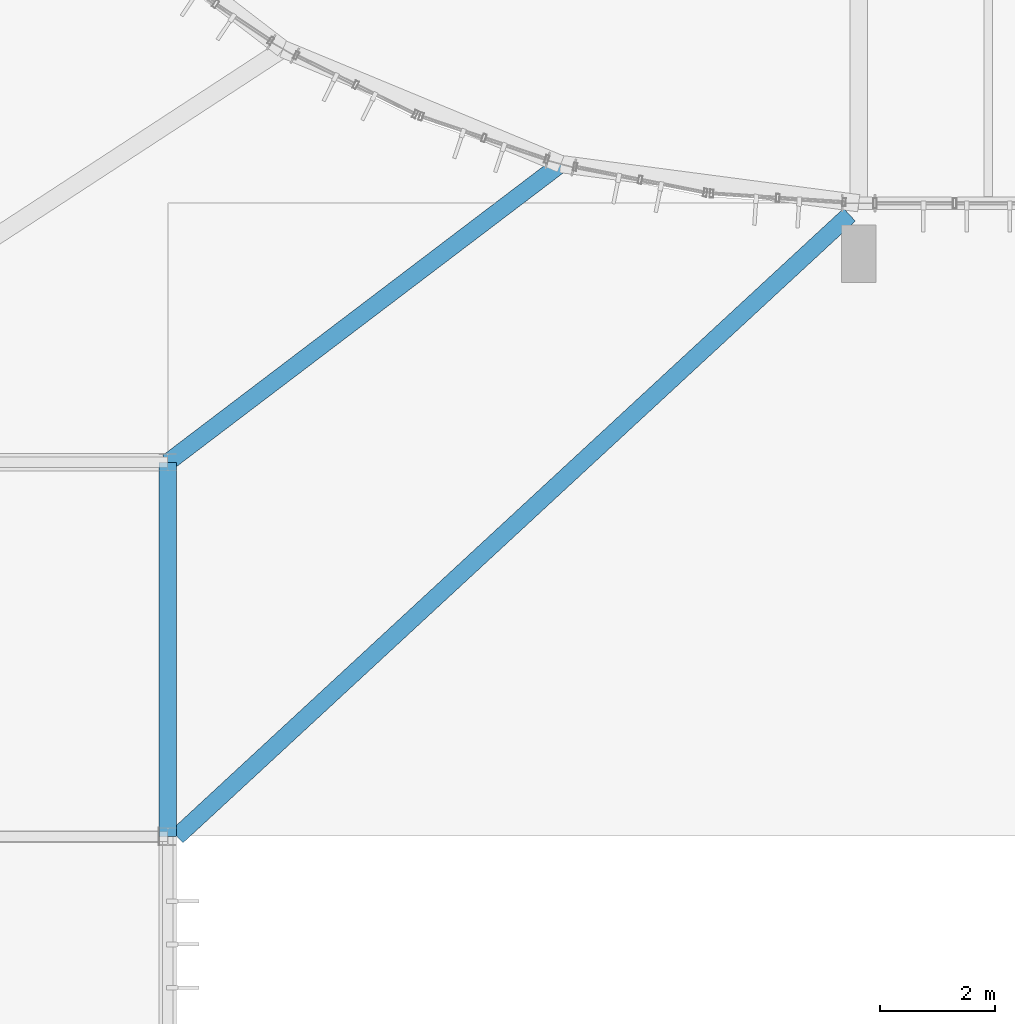
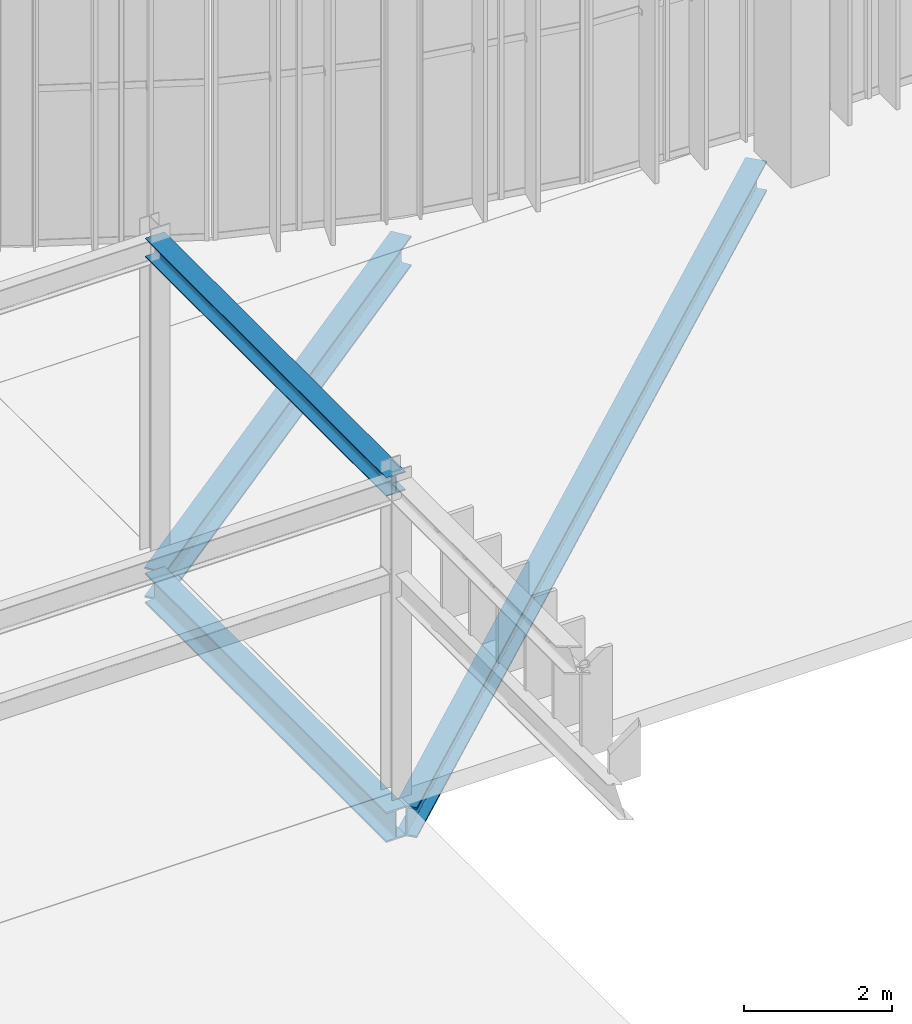
# One storey, part 31 of 158: 4 beams.
"""IFC4 building model written with IfcOpenShell, lengths in metres."""

from ifc_helpers import new_model, si_unit, derived_unit, direction, frame, origin, origin_2d, place, context, subcontext, project, spatial, i_section, extrude, material, material_profile, profile_set, type_object, element, save


model = new_model("IFC4")

# Units and contexts
model_context = context("Model", 3, precision=1e-05, world=origin(), true_north=direction((0.0, 1.0)))
body_context = subcontext(model_context, "Body", "Model", "MODEL_VIEW")
ifc_project = project(units=[si_unit("LENGTHUNIT", "METRE"), si_unit("AREAUNIT", "SQUARE_METRE"), si_unit("VOLUMEUNIT", "CUBIC_METRE"), si_unit("PLANEANGLEUNIT", "RADIAN"), si_unit("MASSUNIT", "GRAM", prefix="KILO"), si_unit("THERMODYNAMICTEMPERATUREUNIT", "KELVIN"), si_unit("TIMEUNIT", "SECOND"), derived_unit("THERMALTRANSMITTANCEUNIT", [(si_unit("MASSUNIT", "GRAM", prefix="KILO"), 1), (si_unit("THERMODYNAMICTEMPERATUREUNIT", "KELVIN"), -1), (si_unit("TIMEUNIT", "SECOND"), -3)])], contexts=[model_context])

# Site, building, storey
site_placement = place(None, origin())
site = spatial("IfcSite", under=ifc_project, at=site_placement, CompositionType="ELEMENT")
building_placement = place(site_placement, origin())
building = spatial("IfcBuilding", under=site, at=building_placement, Name="Cambertide Market Hall", CompositionType="ELEMENT")
storey_placement = place(building_placement, origin())
storey = spatial("IfcBuildingStorey", under=building, at=storey_placement, Name="L01", CompositionType="ELEMENT", Elevation=0.0)

# Beams
ifc_material_1 = material(Name="Steel S355", Category="steel")
ifc_material_profile_1 = material_profile(ifc_material_1, i_section(OverallWidth=0.300048828125, OverallDepth=0.31005859375, WebThickness=0.009033203125, FlangeThickness=0.015380859375, FilletRadius=0.027099609375, at=origin_2d()), Name="HEA 320")
ifc_profile_set_1 = profile_set([ifc_material_profile_1], Name="Steel S355")
beam_type_1 = type_object("IfcBeamType", Name="Exterior Steel Girder HEA 320", PredefinedType="BEAM", material=ifc_profile_set_1)
beam_1_placement = place(storey_placement, frame((30.0, 41.0, 5.06494140625), z_axis=(0.0, 1.0, 0.0), x_axis=(-1.0, 0.0, 0.0)))
element("IfcBeam", 1, at=beam_1_placement, inside=storey, type_object=beam_type_1, Name="Level 1 Beam BM-LNKSW-RF-E1", PredefinedType="BEAM", context=body_context, shape_type="SweptSolid", body=[
    extrude(i_section(OverallWidth=0.300048828125, OverallDepth=0.31005859375, WebThickness=0.009033203125, FlangeThickness=0.015380859375, FilletRadius=0.027099609375, at=origin_2d()), origin(), (0.0, 0.0, 1.0), 6.5),
])
ifc_material_2 = material(Name="Steel S355", Category="steel")
ifc_material_profile_2 = material_profile(ifc_material_2, i_section(OverallWidth=0.300048828125, OverallDepth=0.5, WebThickness=0.014404296875, FlangeThickness=0.028076171875, FilletRadius=0.027099609375, at=origin_2d()), Name="HEB 500")
ifc_profile_set_2 = profile_set([ifc_material_profile_2], Name="Steel S355")
beam_type_2 = type_object("IfcBeamType", Name="Exterior Steel Girder HEB 500", PredefinedType="BEAM", material=ifc_profile_set_2)
beam_2_placement = place(storey_placement, frame((30.159912109375, 41.0, -0.534912109375), z_axis=(0.734228332389, 0.678902611511, 0.0), x_axis=(-0.678902611511, 0.734228332389, 0.0)))
element("IfcBeam", 2, at=beam_2_placement, inside=storey, type_object=beam_type_2, Name="Level 1 Beam TIE-V2SW-1", PredefinedType="BEAM", context=body_context, shape_type="SweptSolid", body=[
    extrude(i_section(OverallWidth=0.300048828125, OverallDepth=0.5, WebThickness=0.014404296875, FlangeThickness=0.028076171875, FilletRadius=0.027099609375, at=origin_2d()), origin(), (0.0, 0.0, 1.0), 15.908203125),
])
beam_3_placement = place(storey_placement, frame((30.0, 41.0, -0.534912109375), z_axis=(0.0, 1.0, 0.0), x_axis=(-1.0, 0.0, 0.0)))
element("IfcBeam", 3, at=beam_3_placement, inside=storey, type_object=beam_type_2, Name="Level 1 Beam TIE-V2SW-E1", PredefinedType="BEAM", context=body_context, shape_type="SweptSolid", body=[
    extrude(i_section(OverallWidth=0.300048828125, OverallDepth=0.5, WebThickness=0.014404296875, FlangeThickness=0.028076171875, FilletRadius=0.027099609375, at=origin_2d()), origin(), (0.0, 0.0, 1.0), 6.5),
])
beam_4_placement = place(storey_placement, frame((30.0, 47.5, -0.534912109375), z_axis=(0.796422934967, 0.604740033947, 0.0), x_axis=(-0.604740033947, 0.796422934967, 0.0)))
element("IfcBeam", 4, at=beam_4_placement, inside=storey, type_object=beam_type_2, Name="Level 1 Beam TIE-V2SW-3B", PredefinedType="BEAM", context=body_context, shape_type="SweptSolid", body=[
    extrude(i_section(OverallWidth=0.300048828125, OverallDepth=0.5, WebThickness=0.014404296875, FlangeThickness=0.028076171875, FilletRadius=0.027099609375, at=origin_2d()), origin(), (0.0, 0.0, 1.0), 8.56787109375),
])

save(model, "model.ifc")
